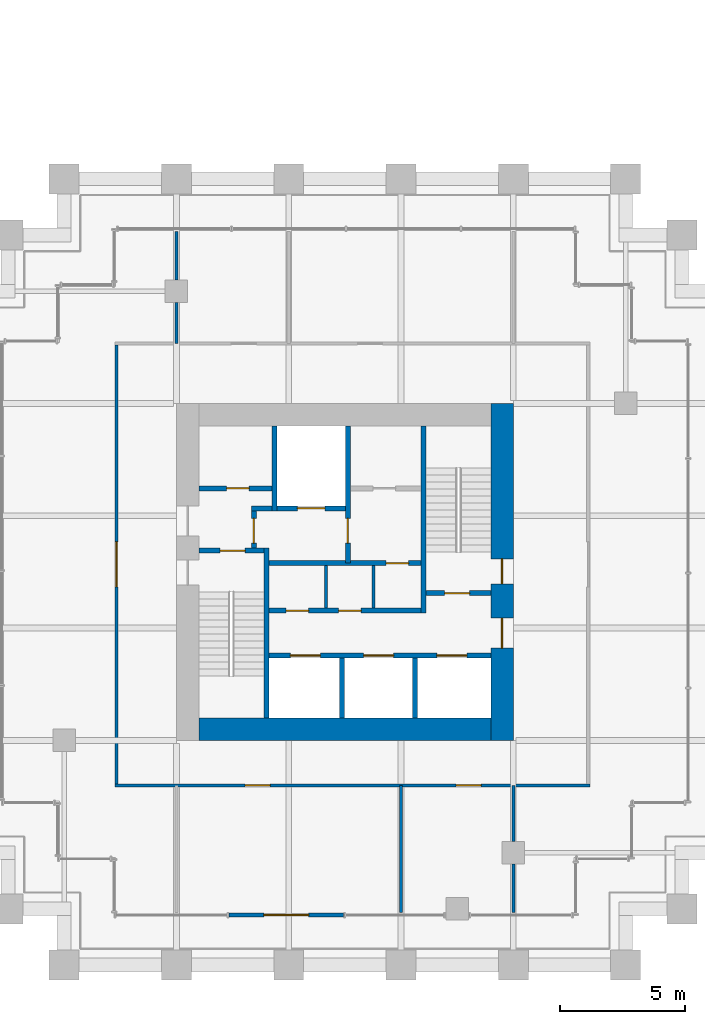
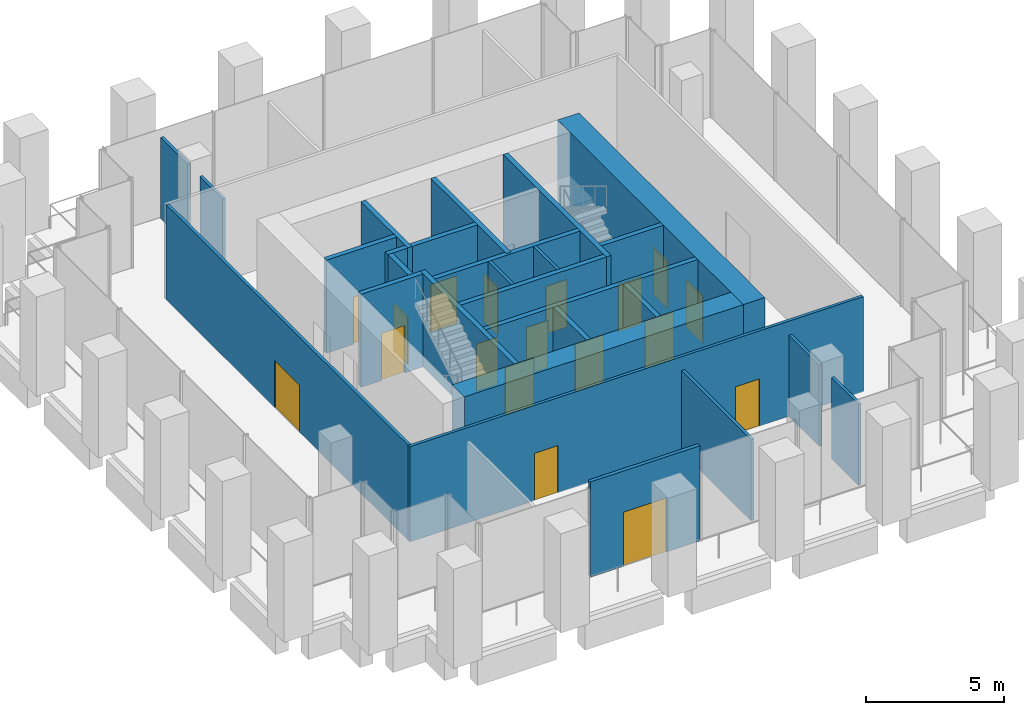
# One storey, part 32 of 36: 27 walls, 18 doors, 18 openings.
"""IFC4 building model written with IfcOpenShell, lengths in metres."""

from ifc_helpers import new_model, si_unit, direction, frame, frame_2d, origin, place, context, subcontext, project, spatial, rectangle, extrude, material, layer, layer_set, type_object, element, fill, save


model = new_model("IFC4")

# Units and contexts
model_context = context("Model", 3, precision=1e-05, world=origin(), true_north=direction((0.0, 1.0)))
body_context = subcontext(model_context, "Body", "Model", "MODEL_VIEW")
ifc_project = project(units=[si_unit("LENGTHUNIT", "METRE"), si_unit("AREAUNIT", "SQUARE_METRE"), si_unit("VOLUMEUNIT", "CUBIC_METRE"), si_unit("PLANEANGLEUNIT", "RADIAN"), si_unit("MASSUNIT", "GRAM", prefix="KILO")], contexts=[model_context])

# Site, building, storey
site_placement = place(None, origin())
site = spatial("IfcSite", under=ifc_project, at=site_placement, CompositionType="ELEMENT")
building_placement = place(site_placement, origin())
building = spatial("IfcBuilding", under=site, at=building_placement, Name="Altepetl Exchange Towers", CompositionType="ELEMENT")
storey_placement = place(building_placement, frame((0.0, 0.0, 25.39990234375)))
storey = spatial("IfcBuildingStorey", under=building, at=storey_placement, Name="L05", CompositionType="ELEMENT", Elevation=25.39990234375)

# Wall, openings, doors
ifc_material_1 = material(Name="Concrete C70/85", Category="concrete")
ifc_layer_1 = layer(ifc_material_1, 0.89990234375)
ifc_layer_set_1 = layer_set([ifc_layer_1], Name="Concrete C70/85")
wall_type_1 = type_object("IfcWallType", Name="Core wall 900 reinforced concrete", PredefinedType="SHEAR", material=ifc_layer_set_1)
wall_1_placement = place(storey_placement, frame((116.550048828125, 36.0, 0.0), z_axis=(0.0, 0.0, 1.0), x_axis=(0.0, 1.0, 0.0)))
wall_1 = element("IfcWall", 1, at=wall_1_placement, inside=storey, type_object=wall_type_1, Name="wall:B:L05:K-coreE", PredefinedType="SHEAR", context=body_context, shape_type="SweptSolid", body=[
    extrude(rectangle(XDim=13.5, YDim=0.89990234375, at=frame_2d((6.75, 0.0))), origin(), (0.0, 0.0, 1.0), 4.125),
])
opening_1_placement = place(wall_1_placement, frame((3.699951171875, 0.0, 0.0)))
opening_1 = element("IfcOpeningElement", 2, at=opening_1_placement, cuts=wall_1, Name="Opening L05.B61", PredefinedType="OPENING", context=body_context, shape_type="SweptSolid", body=[
    extrude(rectangle(XDim=1.199951171875, YDim=2.10009765625, at=frame_2d((0.60009765625, 1.050048828125))), frame((0.0, 0.4599609375, 0.0), z_axis=(0.0, -1.0, 0.0), x_axis=(1.0, 0.0, 0.0)), (0.0, 0.0, 1.0), 0.919921875),
])
opening_2_placement = place(wall_1_placement, frame((6.27490234375, 0.0, 0.0)))
opening_2 = element("IfcOpeningElement", 3, at=opening_2_placement, cuts=wall_1, Name="Opening L05.B65", PredefinedType="OPENING", context=body_context, shape_type="SweptSolid", body=[
    extrude(rectangle(XDim=1.0, YDim=2.10009765625, at=frame_2d((0.5, 1.050048828125))), frame((0.0, 0.4599609375, 0.0), z_axis=(0.0, -1.0, 0.0), x_axis=(1.0, 0.0, 0.0)), (0.0, 0.0, 1.0), 0.919921875),
])
ifc_material_2 = material(Name="Steel and timber fire door", Category="steel")
door_type_1 = type_object("IfcDoorType", Name="Fire door 1000 x 2100 stair and lobby", OperationType="SINGLE_SWING_LEFT", PredefinedType="DOOR", material=ifc_material_2)
door_1_placement = place(opening_2_placement, origin())
door_1 = element("IfcDoor", 4, at=door_1_placement, inside=storey, type_object=door_type_1, Name="door:B:L05:K-dS2x", OperationType="SINGLE_SWING_LEFT", OverallHeight=2.10009765625, OverallWidth=1.0, PredefinedType="DOOR", context=body_context, shape_type="SweptSolid", body=[
    extrude(rectangle(XDim=1.0, YDim=2.10009765625, at=frame_2d((0.5, 1.050048828125))), frame((0.0, 0.02490234375, 0.0), z_axis=(0.0, -1.0, 0.0), x_axis=(1.0, 0.0, 0.0)), (0.0, 0.0, 1.0), 0.050048828125),
])
fill(opening_2, door_1)
door_type_2 = type_object("IfcDoorType", Name="Fire door 1200 x 2100 lobby entry", OperationType="SINGLE_SWING_LEFT", PredefinedType="DOOR", material=ifc_material_2)
door_2_placement = place(opening_1_placement, origin())
door_2 = element("IfcDoor", 5, at=door_2_placement, inside=storey, type_object=door_type_2, Name="door:B:L05:K-dLSE", OperationType="SINGLE_SWING_RIGHT", OverallHeight=2.10009765625, OverallWidth=1.199951171875, PredefinedType="DOOR", context=body_context, shape_type="SweptSolid", body=[
    extrude(rectangle(XDim=1.199951171875, YDim=2.10009765625, at=frame_2d((0.60009765625, 1.050048828125))), frame((0.0, 0.02490234375, 0.0), z_axis=(0.0, -1.0, 0.0), x_axis=(1.0, 0.0, 0.0)), (0.0, 0.0, 1.0), 0.050048828125),
])
fill(opening_1, door_2)

# Wall
wall_2_placement = place(storey_placement, frame((104.39990234375, 36.449951171875, 0.0)))
element("IfcWall", 6, at=wall_2_placement, inside=storey, type_object=wall_type_1, Name="wall:B:L05:K-coreS", PredefinedType="SHEAR", context=body_context, shape_type="SweptSolid", body=[
    extrude(rectangle(XDim=11.7001953125, YDim=0.89990234375, at=frame_2d((5.85009765625, 0.0))), origin(), (0.0, 0.0, 1.0), 4.125),
])

# Wall, opening, door
ifc_material_3 = material(Name="Aluminium composite cladding", Category="aluminium")
ifc_layer_2 = layer(ifc_material_3, 0.14990234375)
ifc_layer_set_2 = layer_set([ifc_layer_2], Name="Aluminium composite cladding")
wall_type_2 = type_object("IfcWallType", Name="Infill wall 150 aluminium panel", PredefinedType="SOLIDWALL", material=ifc_layer_set_2)
wall_3_placement = place(storey_placement, frame((105.60009765625, 29.0, 0.0)))
wall_3 = element("IfcWall", 7, at=wall_3_placement, inside=storey, type_object=wall_type_2, Name="Loggia door bay wall", PredefinedType="SOLIDWALL", context=body_context, shape_type="SweptSolid", body=[
    extrude(rectangle(XDim=4.599853515625, YDim=0.14990234375, at=frame_2d((2.2998046875, 0.0))), origin(), (0.0, 0.0, 1.0), 4.22509765625),
])
opening_3_placement = place(wall_3_placement, frame((1.39990234375, 0.0, 0.0)))
opening_3 = element("IfcOpeningElement", 8, at=opening_3_placement, cuts=wall_3, Name="Opening L05.B90", PredefinedType="OPENING", context=body_context, shape_type="SweptSolid", body=[
    extrude(rectangle(XDim=1.800048828125, YDim=2.39990234375, at=frame_2d((0.89990234375, 1.199951171875))), frame((0.0, 0.0849609375, 0.0), z_axis=(0.0, -1.0, 0.0), x_axis=(1.0, 0.0, 0.0)), (0.0, 0.0, 1.0), 0.169921875),
])
ifc_material_4 = material(Name="Aluminium 6063-T6 and glass", Category="aluminium")
door_type_3 = type_object("IfcDoorType", Name="Glazed door pair 1800x2400", OperationType="DOUBLE_DOOR_DOUBLE_SWING", PredefinedType="NOTDEFINED", material=ifc_material_4)
door_3_placement = place(opening_3_placement, frame((1.800048828125, 0.0, 0.0), x_axis=(-1.0, 0.0, 0.0)))
door_3 = element("IfcDoor", 9, at=door_3_placement, inside=storey, type_object=door_type_3, Name="Loggia door", OperationType="DOUBLE_DOOR_DOUBLE_SWING", OverallHeight=2.39990234375, OverallWidth=1.800048828125, PredefinedType="NOTDEFINED", context=body_context, shape_type="SweptSolid", body=[
    extrude(rectangle(XDim=1.800048828125, YDim=2.39990234375, at=frame_2d((0.89990234375, 1.199951171875))), frame((0.0, 0.02490234375, 0.0), z_axis=(0.0, -1.0, 0.0), x_axis=(1.0, 0.0, 0.0)), (0.0, 0.0, 1.0), 0.050048828125),
])
fill(opening_3, door_3)

# Wall
ifc_material_5 = material(Name="Concrete blockwork", Category="masonry")
ifc_layer_3 = layer(ifc_material_5, 0.199951171875)
ifc_layer_set_3 = layer_set([ifc_layer_3], Name="Concrete blockwork")
wall_type_3 = type_object("IfcWallType", Name="Lobby wall 200 blockwork", PredefinedType="PARTITIONING", material=ifc_layer_set_3)
wall_4_placement = place(storey_placement, frame((106.5, 45.300048828125, 0.0)))
element("IfcWall", 10, at=wall_4_placement, inside=storey, type_object=wall_type_3, Name="wall:B:L05:K-ffNw", PredefinedType="PARTITIONING", context=body_context, shape_type="SweptSolid", body=[
    extrude(rectangle(XDim=0.833251953125, YDim=0.199951171875, at=frame_2d((0.41650390625, 0.0))), origin(), (0.0, 0.0, 1.0), 4.125),
])

# Wall, opening, door
wall_5_placement = place(storey_placement, frame((106.60009765625, 43.699951171875, 0.0), z_axis=(0.0, 0.0, 1.0), x_axis=(0.0, 1.0, 0.0)))
wall_5 = element("IfcWall", 11, at=wall_5_placement, inside=storey, type_object=wall_type_3, Name="wall:B:L05:K-ffW", PredefinedType="PARTITIONING", context=body_context, shape_type="SweptSolid", body=[
    extrude(rectangle(XDim=1.5, YDim=0.199951171875, at=frame_2d((0.75, 0.0))), origin(), (0.0, 0.0, 1.0), 4.125),
])
opening_4_placement = place(wall_5_placement, frame((0.199951171875, 0.0, 0.0)))
opening_4 = element("IfcOpeningElement", 12, at=opening_4_placement, cuts=wall_5, Name="Opening L05.B67", PredefinedType="OPENING", context=body_context, shape_type="SweptSolid", body=[
    extrude(rectangle(XDim=1.0, YDim=2.10009765625, at=frame_2d((0.5, 1.050048828125))), frame((0.0, 0.10986328125, 0.0), z_axis=(0.0, -1.0, 0.0), x_axis=(1.0, 0.0, 0.0)), (0.0, 0.0, 1.0), 0.219970703125),
])
door_4_placement = place(opening_4_placement, frame((1.0, 0.0, 0.0), x_axis=(-1.0, 0.0, 0.0)))
door_4 = element("IfcDoor", 13, at=door_4_placement, inside=storey, type_object=door_type_1, Name="door:B:L05:K-dffW", OperationType="SINGLE_SWING_LEFT", OverallHeight=2.10009765625, OverallWidth=1.0, PredefinedType="DOOR", context=body_context, shape_type="SweptSolid", body=[
    extrude(rectangle(XDim=1.0, YDim=2.10009765625, at=frame_2d((0.5, 1.050048828125))), frame((0.0, 0.02490234375, 0.0), z_axis=(0.0, -1.0, 0.0), x_axis=(1.0, 0.0, 0.0)), (0.0, 0.0, 1.0), 0.050048828125),
])
fill(opening_4, door_4)

wall_6_placement = place(storey_placement, frame((107.199951171875, 43.10009765625, 0.0)))
wall_6 = element("IfcWall", 14, at=wall_6_placement, inside=storey, type_object=wall_type_3, Name="wall:B:L05:K-zoneN", PredefinedType="PARTITIONING", context=body_context, shape_type="SweptSolid", body=[
    extrude(rectangle(XDim=6.10009765625, YDim=0.199951171875, at=frame_2d((3.050048828125, 0.0))), origin(), (0.0, 0.0, 1.0), 4.125),
])
opening_5_placement = place(wall_6_placement, frame((4.699951171875, 0.0, 0.0)))
opening_5 = element("IfcOpeningElement", 15, at=opening_5_placement, cuts=wall_6, Name="Opening L05.B72", PredefinedType="OPENING", context=body_context, shape_type="SweptSolid", body=[
    extrude(rectangle(XDim=0.89990234375, YDim=2.10009765625, at=frame_2d((0.449951171875, 1.050048828125))), frame((0.0, 0.10986328125, 0.0), z_axis=(0.0, -1.0, 0.0), x_axis=(1.0, 0.0, 0.0)), (0.0, 0.0, 1.0), 0.219970703125),
])
door_type_4 = type_object("IfcDoorType", Name="Fire door 900 x 2100 service room", OperationType="SINGLE_SWING_LEFT", PredefinedType="DOOR", material=ifc_material_2)
door_5_placement = place(opening_5_placement, frame((0.89990234375, 0.0, 0.0), x_axis=(-1.0, 0.0, 0.0)))
door_5 = element("IfcDoor", 16, at=door_5_placement, inside=storey, type_object=door_type_4, Name="door:B:L05:K-dz3", OperationType="SINGLE_SWING_RIGHT", OverallHeight=2.10009765625, OverallWidth=0.89990234375, PredefinedType="DOOR", context=body_context, shape_type="SweptSolid", body=[
    extrude(rectangle(XDim=0.89990234375, YDim=2.10009765625, at=frame_2d((0.449951171875, 1.050048828125))), frame((0.0, 0.02490234375, 0.0), z_axis=(0.0, -1.0, 0.0), x_axis=(1.0, 0.0, 0.0)), (0.0, 0.0, 1.0), 0.050048828125),
])
fill(opening_5, door_5)

# Wall, openings, doors
wall_7_placement = place(storey_placement, frame((107.199951171875, 41.199951171875, 0.0)))
wall_7 = element("IfcWall", 17, at=wall_7_placement, inside=storey, type_object=wall_type_3, Name="wall:B:L05:K-zoneS", PredefinedType="PARTITIONING", context=body_context, shape_type="SweptSolid", body=[
    extrude(rectangle(XDim=6.10009765625, YDim=0.199951171875, at=frame_2d((3.050048828125, 0.0))), origin(), (0.0, 0.0, 1.0), 4.125),
])
opening_6_placement = place(wall_7_placement, frame((0.699951171875, 0.0, 0.0)))
opening_6 = element("IfcOpeningElement", 18, at=opening_6_placement, cuts=wall_7, Name="Opening L05.B70", PredefinedType="OPENING", context=body_context, shape_type="SweptSolid", body=[
    extrude(rectangle(XDim=0.89990234375, YDim=2.10009765625, at=frame_2d((0.449951171875, 1.050048828125))), frame((0.0, 0.10986328125, 0.0), z_axis=(0.0, -1.0, 0.0), x_axis=(1.0, 0.0, 0.0)), (0.0, 0.0, 1.0), 0.219970703125),
])
opening_7_placement = place(wall_7_placement, frame((2.800048828125, 0.0, 0.0)))
opening_7 = element("IfcOpeningElement", 19, at=opening_7_placement, cuts=wall_7, Name="Opening L05.B71", PredefinedType="OPENING", context=body_context, shape_type="SweptSolid", body=[
    extrude(rectangle(XDim=0.89990234375, YDim=2.10009765625, at=frame_2d((0.449951171875, 1.050048828125))), frame((0.0, 0.10986328125, 0.0), z_axis=(0.0, -1.0, 0.0), x_axis=(1.0, 0.0, 0.0)), (0.0, 0.0, 1.0), 0.219970703125),
])
door_6_placement = place(opening_6_placement, origin())
door_6 = element("IfcDoor", 20, at=door_6_placement, inside=storey, type_object=door_type_4, Name="door:B:L05:K-dz1", OperationType="SINGLE_SWING_RIGHT", OverallHeight=2.10009765625, OverallWidth=0.89990234375, PredefinedType="DOOR", context=body_context, shape_type="SweptSolid", body=[
    extrude(rectangle(XDim=0.89990234375, YDim=2.10009765625, at=frame_2d((0.449951171875, 1.050048828125))), frame((0.0, 0.02490234375, 0.0), z_axis=(0.0, -1.0, 0.0), x_axis=(1.0, 0.0, 0.0)), (0.0, 0.0, 1.0), 0.050048828125),
])
fill(opening_6, door_6)
door_7_placement = place(opening_7_placement, origin())
door_7 = element("IfcDoor", 21, at=door_7_placement, inside=storey, type_object=door_type_4, Name="door:B:L05:K-dz2", OperationType="SINGLE_SWING_RIGHT", OverallHeight=2.10009765625, OverallWidth=0.89990234375, PredefinedType="DOOR", context=body_context, shape_type="SweptSolid", body=[
    extrude(rectangle(XDim=0.89990234375, YDim=2.10009765625, at=frame_2d((0.449951171875, 1.050048828125))), frame((0.0, 0.02490234375, 0.0), z_axis=(0.0, -1.0, 0.0), x_axis=(1.0, 0.0, 0.0)), (0.0, 0.0, 1.0), 0.050048828125),
])
fill(opening_7, door_7)

# Walls
ifc_material_6 = material(Name="Gypsum board on steel studs", Category="steel")
ifc_layer_4 = layer(ifc_material_6, 0.125)
ifc_layer_set_4 = layer_set([ifc_layer_4], Name="Gypsum board on steel studs")
wall_type_4 = type_object("IfcWallType", Name="Partition 125 gypsum board on steel studs", PredefinedType="PARTITIONING", material=ifc_layer_set_4)
for number, where, z_axis, x_axis, name in (
    (22, (109.5, 41.300048828125, 0.0), (0.0, 0.0, 1.0), (0.0, 1.0, 0.0), "wall:B:L05:K-zp1"),
    (23, (111.39990234375, 41.300048828125, 0.0), (0.0, 0.0, 1.0), (0.0, 1.0, 0.0), "wall:B:L05:K-zp2"),
):
    element("IfcWall", number, at=place(storey_placement, frame(where, z_axis=z_axis, x_axis=x_axis)), inside=storey, type_object=wall_type_4, Name=name, PredefinedType="PARTITIONING", context=body_context, shape_type="SweptSolid", body=[
        extrude(rectangle(XDim=1.699951171875, YDim=0.125, at=frame_2d((0.85009765625, 0.0))), origin(), (0.0, 0.0, 1.0), 4.125),
    ])

# Wall, openings, doors
wall_8_placement = place(storey_placement, frame((101.03759765625, 34.199951171875, 0.0)))
wall_8 = element("IfcWall", 24, at=wall_8_placement, inside=storey, type_object=wall_type_4, Name="wall:B:L05:P01", PredefinedType="PARTITIONING", context=body_context, shape_type="SweptSolid", body=[
    extrude(rectangle(XDim=19.02490234375, YDim=0.125, at=frame_2d((9.512451171875, 0.0))), origin(), (0.0, 0.0, 1.0), 4.22509765625),
])
opening_8_placement = place(wall_8_placement, frame((5.219482421875, 0.0, 0.0)))
opening_8 = element("IfcOpeningElement", 25, at=opening_8_placement, cuts=wall_8, Name="Opening L05.B02", PredefinedType="OPENING", context=body_context, shape_type="SweptSolid", body=[
    extrude(rectangle(XDim=1.0, YDim=2.10009765625, at=frame_2d((0.5, 1.050048828125))), frame((0.0, 0.072509765625, 0.0), z_axis=(0.0, -1.0, 0.0), x_axis=(1.0, 0.0, 0.0)), (0.0, 0.0, 1.0), 0.14501953125),
])
opening_9_placement = place(wall_8_placement, frame((13.66748046875, 0.0, 0.0)))
opening_9 = element("IfcOpeningElement", 26, at=opening_9_placement, cuts=wall_8, Name="Opening L05.B03", PredefinedType="OPENING", context=body_context, shape_type="SweptSolid", body=[
    extrude(rectangle(XDim=1.0, YDim=2.10009765625, at=frame_2d((0.5, 1.050048828125))), frame((0.0, 0.072509765625, 0.0), z_axis=(0.0, -1.0, 0.0), x_axis=(1.0, 0.0, 0.0)), (0.0, 0.0, 1.0), 0.14501953125),
])
door_type_5 = type_object("IfcDoorType", Name="Fire door 1000 x 2100 single leaf", OperationType="SINGLE_SWING_LEFT", PredefinedType="DOOR", material=ifc_material_2)
door_8_placement = place(opening_8_placement, frame((1.0, 0.0, 0.0), x_axis=(-1.0, 0.0, 0.0)))
door_8 = element("IfcDoor", 27, at=door_8_placement, inside=storey, type_object=door_type_5, Name="door:B:L05:02", OperationType="SINGLE_SWING_RIGHT", OverallHeight=2.10009765625, OverallWidth=1.0, PredefinedType="DOOR", context=body_context, shape_type="SweptSolid", body=[
    extrude(rectangle(XDim=1.0, YDim=2.10009765625, at=frame_2d((0.5, 1.050048828125))), frame((0.0, 0.02490234375, 0.0), z_axis=(0.0, -1.0, 0.0), x_axis=(1.0, 0.0, 0.0)), (0.0, 0.0, 1.0), 0.050048828125),
])
fill(opening_8, door_8)
door_9_placement = place(opening_9_placement, frame((1.0, 0.0, 0.0), x_axis=(-1.0, 0.0, 0.0)))
door_9 = element("IfcDoor", 28, at=door_9_placement, inside=storey, type_object=door_type_5, Name="door:B:L05:03", OperationType="SINGLE_SWING_LEFT", OverallHeight=2.10009765625, OverallWidth=1.0, PredefinedType="DOOR", context=body_context, shape_type="SweptSolid", body=[
    extrude(rectangle(XDim=1.0, YDim=2.10009765625, at=frame_2d((0.5, 1.050048828125))), frame((0.0, 0.02490234375, 0.0), z_axis=(0.0, -1.0, 0.0), x_axis=(1.0, 0.0, 0.0)), (0.0, 0.0, 1.0), 0.050048828125),
])
fill(opening_9, door_9)

# Wall, opening, door
wall_9_placement = place(storey_placement, frame((101.10009765625, 34.262451171875, 0.0), z_axis=(0.0, 0.0, 1.0), x_axis=(0.0, 1.0, 0.0)))
wall_9 = element("IfcWall", 29, at=wall_9_placement, inside=storey, type_object=wall_type_4, Name="wall:B:L05:P03", PredefinedType="PARTITIONING", context=body_context, shape_type="SweptSolid", body=[
    extrude(rectangle(XDim=17.574951171875, YDim=0.125, at=frame_2d((8.78759765625, 0.0))), origin(), (0.0, 0.0, 1.0), 4.22509765625),
])
opening_10_placement = place(wall_9_placement, frame((7.887451171875, 0.0, 0.0)))
opening_10 = element("IfcOpeningElement", 30, at=opening_10_placement, cuts=wall_9, Name="Opening L05.B01", PredefinedType="OPENING", context=body_context, shape_type="SweptSolid", body=[
    extrude(rectangle(XDim=1.800048828125, YDim=2.10009765625, at=frame_2d((0.89990234375, 1.050048828125))), frame((0.0, 0.072509765625, 0.0), z_axis=(0.0, -1.0, 0.0), x_axis=(1.0, 0.0, 0.0)), (0.0, 0.0, 1.0), 0.14501953125),
])
door_type_6 = type_object("IfcDoorType", Name="Fire door 1800 x 2100 double leaf", OperationType="DOUBLE_DOOR_SINGLE_SWING", PredefinedType="DOOR", material=ifc_material_2)
door_10_placement = place(opening_10_placement, origin())
door_10 = element("IfcDoor", 31, at=door_10_placement, inside=storey, type_object=door_type_6, Name="door:B:L05:01", OperationType="DOUBLE_DOOR_SINGLE_SWING", OverallHeight=2.10009765625, OverallWidth=1.800048828125, PredefinedType="DOOR", context=body_context, shape_type="SweptSolid", body=[
    extrude(rectangle(XDim=1.800048828125, YDim=2.10009765625, at=frame_2d((0.89990234375, 1.050048828125))), frame((0.0, 0.02490234375, 0.0), z_axis=(0.0, -1.0, 0.0), x_axis=(1.0, 0.0, 0.0)), (0.0, 0.0, 1.0), 0.050048828125),
])
fill(opening_10, door_10)

# Walls
wall_10_placement = place(storey_placement, frame((103.5, 51.89990234375, 0.0), z_axis=(0.0, 0.0, 1.0), x_axis=(0.0, 1.0, 0.0)))
element("IfcWall", 32, at=wall_10_placement, inside=storey, type_object=wall_type_4, Name="wall:B:L05:P05", PredefinedType="PARTITIONING", context=body_context, shape_type="SweptSolid", body=[
    extrude(rectangle(XDim=1.650146484375, YDim=0.125, at=frame_2d((0.8251953125, 0.0))), origin(), (0.0, 0.0, 1.0), 3.60205078125),
])
wall_11_placement = place(storey_placement, frame((103.5, 54.449951171875, 0.0), z_axis=(0.0, 0.0, 1.0), x_axis=(0.0, 1.0, 0.0)))
element("IfcWall", 33, at=wall_11_placement, inside=storey, type_object=wall_type_4, Name="wall:B:L05:P06", PredefinedType="PARTITIONING", context=body_context, shape_type="SweptSolid", body=[
    extrude(rectangle(XDim=1.949951171875, YDim=0.125, at=frame_2d((0.97509765625, 0.0))), origin(), (0.0, 0.0, 1.0), 3.60205078125),
])
wall_12_placement = place(storey_placement, frame((112.5, 29.10009765625, 0.0), z_axis=(0.0, 0.0, 1.0), x_axis=(0.0, 1.0, 0.0)))
element("IfcWall", 34, at=wall_12_placement, inside=storey, type_object=wall_type_4, Name="wall:B:L05:P08", PredefinedType="PARTITIONING", context=body_context, shape_type="SweptSolid", body=[
    extrude(rectangle(XDim=5.099853515625, YDim=0.125, at=frame_2d((2.5498046875, 0.0))), origin(), (0.0, 0.0, 1.0), 3.613037109375),
])
wall_13_placement = place(storey_placement, frame((117.0, 29.10009765625, 0.0), z_axis=(0.0, 0.0, 1.0), x_axis=(0.0, 1.0, 0.0)))
element("IfcWall", 35, at=wall_13_placement, inside=storey, type_object=wall_type_4, Name="wall:B:L05:P09", PredefinedType="PARTITIONING", context=body_context, shape_type="SweptSolid", body=[
    extrude(rectangle(XDim=1.949951171875, YDim=0.125, at=frame_2d((0.97509765625, 0.0))), origin(), (0.0, 0.0, 1.0), 3.60205078125),
])
wall_14_placement = place(storey_placement, frame((117.0, 31.949951171875, 0.0), z_axis=(0.0, 0.0, 1.0), x_axis=(0.0, 1.0, 0.0)))
element("IfcWall", 36, at=wall_14_placement, inside=storey, type_object=wall_type_4, Name="wall:B:L05:P10", PredefinedType="PARTITIONING", context=body_context, shape_type="SweptSolid", body=[
    extrude(rectangle(XDim=2.25, YDim=0.125, at=frame_2d((1.125, 0.0))), origin(), (0.0, 0.0, 1.0), 3.60205078125),
])
ifc_material_7 = material(Name="Concrete C40/50", Category="concrete")
ifc_layer_5 = layer(ifc_material_7, 0.199951171875)
ifc_layer_set_5 = layer_set([ifc_layer_5], Name="Concrete C40/50")
wall_type_5 = type_object("IfcWallType", Name="Shaft wall 200 reinforced concrete", PredefinedType="SHEAR", material=ifc_layer_set_5)
wall_15_placement = place(storey_placement, frame((107.433349609375, 48.60009765625, 0.0), z_axis=(0.0, 0.0, 1.0), x_axis=(0.0, -1.0, 0.0)))
element("IfcWall", 37, at=wall_15_placement, inside=storey, type_object=wall_type_5, Name="wall:B:L05:K-divN1", PredefinedType="SHEAR", context=body_context, shape_type="SweptSolid", body=[
    extrude(rectangle(XDim=3.400146484375, YDim=0.199951171875, at=frame_2d((1.7001953125, 0.0))), origin(), (0.0, 0.0, 1.0), 4.125),
])

# Wall, opening, door
wall_16_placement = place(storey_placement, frame((110.36669921875, 48.60009765625, 0.0), z_axis=(0.0, 0.0, 1.0), x_axis=(0.0, -1.0, 0.0)))
wall_16 = element("IfcWall", 38, at=wall_16_placement, inside=storey, type_object=wall_type_5, Name="wall:B:L05:K-divN2", PredefinedType="SHEAR", context=body_context, shape_type="SweptSolid", body=[
    extrude(rectangle(XDim=5.5, YDim=0.199951171875, at=frame_2d((2.75, 0.0))), origin(), (0.0, 0.0, 1.0), 4.125),
])
opening_11_placement = place(wall_16_placement, frame((3.699951171875, 0.0, 0.0)))
opening_11 = element("IfcOpeningElement", 39, at=opening_11_placement, cuts=wall_16, Name="Opening L05.B66", PredefinedType="OPENING", context=body_context, shape_type="SweptSolid", body=[
    extrude(rectangle(XDim=1.0, YDim=2.10009765625, at=frame_2d((0.5, 1.050048828125))), frame((0.0, 0.10986328125, 0.0), z_axis=(0.0, -1.0, 0.0), x_axis=(1.0, 0.0, 0.0)), (0.0, 0.0, 1.0), 0.219970703125),
])
door_11_placement = place(opening_11_placement, frame((1.0, 0.0, 0.0), x_axis=(-1.0, 0.0, 0.0)))
door_11 = element("IfcDoor", 40, at=door_11_placement, inside=storey, type_object=door_type_1, Name="door:B:L05:K-dffE", OperationType="SINGLE_SWING_RIGHT", OverallHeight=2.10009765625, OverallWidth=1.0, PredefinedType="DOOR", context=body_context, shape_type="SweptSolid", body=[
    extrude(rectangle(XDim=1.0, YDim=2.10009765625, at=frame_2d((0.5, 1.050048828125))), frame((0.0, 0.02490234375, 0.0), z_axis=(0.0, -1.0, 0.0), x_axis=(1.0, 0.0, 0.0)), (0.0, 0.0, 1.0), 0.050048828125),
])
fill(opening_11, door_11)

# Walls
for number, where, z_axis, x_axis, name in (
    (41, (110.13330078125, 36.89990234375, 0.0), (0.0, 0.0, 1.0), (0.0, 1.0, 0.0), "wall:B:L05:K-divS1"),
    (42, (113.066650390625, 36.89990234375, 0.0), (0.0, 0.0, 1.0), (0.0, 1.0, 0.0), "wall:B:L05:K-divS2"),
):
    element("IfcWall", number, at=place(storey_placement, frame(where, z_axis=z_axis, x_axis=x_axis)), inside=storey, type_object=wall_type_5, Name=name, PredefinedType="SHEAR", context=body_context, shape_type="SweptSolid", body=[
        extrude(rectangle(XDim=2.400146484375, YDim=0.199951171875, at=frame_2d((1.2001953125, 0.0))), origin(), (0.0, 0.0, 1.0), 4.125),
    ])

# Wall, opening, door
wall_17_placement = place(storey_placement, frame((104.39990234375, 46.10009765625, 0.0)))
wall_17 = element("IfcWall", 43, at=wall_17_placement, inside=storey, type_object=wall_type_5, Name="wall:B:L05:K-frontNa", PredefinedType="SHEAR", context=body_context, shape_type="SweptSolid", body=[
    extrude(rectangle(XDim=2.933349609375, YDim=0.199951171875, at=frame_2d((1.466796875, 0.0))), origin(), (0.0, 0.0, 1.0), 4.125),
])
opening_12_placement = place(wall_17_placement, frame((1.11669921875, 0.0, 0.0)))
opening_12 = element("IfcOpeningElement", 44, at=opening_12_placement, cuts=wall_17, Name="Opening L05.B68", PredefinedType="OPENING", context=body_context, shape_type="SweptSolid", body=[
    extrude(rectangle(XDim=0.89990234375, YDim=2.10009765625, at=frame_2d((0.449951171875, 1.050048828125))), frame((0.0, 0.10986328125, 0.0), z_axis=(0.0, -1.0, 0.0), x_axis=(1.0, 0.0, 0.0)), (0.0, 0.0, 1.0), 0.219970703125),
])
door_12_placement = place(opening_12_placement, origin())
door_12 = element("IfcDoor", 45, at=door_12_placement, inside=storey, type_object=door_type_4, Name="door:B:L05:K-dslotN0", OperationType="SINGLE_SWING_RIGHT", OverallHeight=2.10009765625, OverallWidth=0.89990234375, PredefinedType="DOOR", context=body_context, shape_type="SweptSolid", body=[
    extrude(rectangle(XDim=0.89990234375, YDim=2.10009765625, at=frame_2d((0.449951171875, 1.050048828125))), frame((0.0, 0.02490234375, 0.0), z_axis=(0.0, -1.0, 0.0), x_axis=(1.0, 0.0, 0.0)), (0.0, 0.0, 1.0), 0.050048828125),
])
fill(opening_12, door_12)

wall_18_placement = place(storey_placement, frame((107.533203125, 45.300048828125, 0.0)))
wall_18 = element("IfcWall", 46, at=wall_18_placement, inside=storey, type_object=wall_type_5, Name="wall:B:L05:K-frontNd", PredefinedType="SHEAR", context=body_context, shape_type="SweptSolid", body=[
    extrude(rectangle(XDim=2.7333984375, YDim=0.199951171875, at=frame_2d((1.36669921875, 0.0))), origin(), (0.0, 0.0, 1.0), 4.125),
])
opening_13_placement = place(wall_18_placement, frame((0.816650390625, 0.0, 0.0)))
opening_13 = element("IfcOpeningElement", 47, at=opening_13_placement, cuts=wall_18, Name="Opening L05.B73", PredefinedType="OPENING", context=body_context, shape_type="SweptSolid", body=[
    extrude(rectangle(XDim=1.10009765625, YDim=2.10009765625, at=frame_2d((0.550048828125, 1.050048828125))), frame((0.0, 0.10986328125, 0.0), z_axis=(0.0, -1.0, 0.0), x_axis=(1.0, 0.0, 0.0)), (0.0, 0.0, 1.0), 0.219970703125),
])
ifc_material_8 = material(Name="Stainless steel", Category="steel")
door_type_7 = type_object("IfcDoorType", Name="Lift landing door 1100 x 2100", OperationType="SLIDING_TO_LEFT", PredefinedType="DOOR", material=ifc_material_8)
door_13_placement = place(opening_13_placement, origin())
door_13 = element("IfcDoor", 48, at=door_13_placement, inside=storey, type_object=door_type_7, Name="Landing door FFL1", OperationType="SLIDING_TO_LEFT", OverallHeight=2.10009765625, OverallWidth=1.10009765625, PredefinedType="DOOR", context=body_context, shape_type="SweptSolid", body=[
    extrude(rectangle(XDim=1.10009765625, YDim=2.10009765625, at=frame_2d((0.550048828125, 1.050048828125))), frame((0.0, 0.02490234375, 0.0), z_axis=(0.0, -1.0, 0.0), x_axis=(1.0, 0.0, 0.0)), (0.0, 0.0, 1.0), 0.050048828125),
])
fill(opening_13, door_13)

# Wall, openings, doors
wall_19_placement = place(storey_placement, frame((107.199951171875, 39.39990234375, 0.0)))
wall_19 = element("IfcWall", 49, at=wall_19_placement, inside=storey, type_object=wall_type_5, Name="wall:B:L05:K-frontS", PredefinedType="SHEAR", context=body_context, shape_type="SweptSolid", body=[
    extrude(rectangle(XDim=8.900146484375, YDim=0.199951171875, at=frame_2d((4.4501953125, 0.0))), origin(), (0.0, 0.0, 1.0), 4.125),
])
opening_14_placement = place(wall_19_placement, frame((0.86669921875, 0.0, 0.0)))
opening_14 = element("IfcOpeningElement", 50, at=opening_14_placement, cuts=wall_19, Name="Opening L05.B74", PredefinedType="OPENING", context=body_context, shape_type="SweptSolid", body=[
    extrude(rectangle(XDim=1.199951171875, YDim=2.10009765625, at=frame_2d((0.60009765625, 1.050048828125))), frame((0.0, 0.10986328125, 0.0), z_axis=(0.0, -1.0, 0.0), x_axis=(1.0, 0.0, 0.0)), (0.0, 0.0, 1.0), 0.219970703125),
])
opening_15_placement = place(wall_19_placement, frame((3.800048828125, 0.0, 0.0)))
opening_15 = element("IfcOpeningElement", 51, at=opening_15_placement, cuts=wall_19, Name="Opening L05.B75", PredefinedType="OPENING", context=body_context, shape_type="SweptSolid", body=[
    extrude(rectangle(XDim=1.199951171875, YDim=2.10009765625, at=frame_2d((0.60009765625, 1.050048828125))), frame((0.0, 0.10986328125, 0.0), z_axis=(0.0, -1.0, 0.0), x_axis=(1.0, 0.0, 0.0)), (0.0, 0.0, 1.0), 0.219970703125),
])
opening_16_placement = place(wall_19_placement, frame((6.7333984375, 0.0, 0.0)))
opening_16 = element("IfcOpeningElement", 52, at=opening_16_placement, cuts=wall_19, Name="Opening L05.B76", PredefinedType="OPENING", context=body_context, shape_type="SweptSolid", body=[
    extrude(rectangle(XDim=1.199951171875, YDim=2.10009765625, at=frame_2d((0.60009765625, 1.050048828125))), frame((0.0, 0.10986328125, 0.0), z_axis=(0.0, -1.0, 0.0), x_axis=(1.0, 0.0, 0.0)), (0.0, 0.0, 1.0), 0.219970703125),
])
door_type_8 = type_object("IfcDoorType", Name="Lift landing door 1200 x 2100", OperationType="SLIDING_TO_LEFT", PredefinedType="DOOR", material=ifc_material_8)
door_14_placement = place(opening_14_placement, origin())
door_14 = element("IfcDoor", 53, at=door_14_placement, inside=storey, type_object=door_type_8, Name="Landing door P1", OperationType="SLIDING_TO_LEFT", OverallHeight=2.10009765625, OverallWidth=1.199951171875, PredefinedType="DOOR", context=body_context, shape_type="SweptSolid", body=[
    extrude(rectangle(XDim=1.199951171875, YDim=2.10009765625, at=frame_2d((0.60009765625, 1.050048828125))), frame((0.0, 0.02490234375, 0.0), z_axis=(0.0, -1.0, 0.0), x_axis=(1.0, 0.0, 0.0)), (0.0, 0.0, 1.0), 0.050048828125),
])
fill(opening_14, door_14)
door_15_placement = place(opening_15_placement, origin())
door_15 = element("IfcDoor", 54, at=door_15_placement, inside=storey, type_object=door_type_8, Name="Landing door P2", OperationType="SLIDING_TO_LEFT", OverallHeight=2.10009765625, OverallWidth=1.199951171875, PredefinedType="DOOR", context=body_context, shape_type="SweptSolid", body=[
    extrude(rectangle(XDim=1.199951171875, YDim=2.10009765625, at=frame_2d((0.60009765625, 1.050048828125))), frame((0.0, 0.02490234375, 0.0), z_axis=(0.0, -1.0, 0.0), x_axis=(1.0, 0.0, 0.0)), (0.0, 0.0, 1.0), 0.050048828125),
])
fill(opening_15, door_15)
door_16_placement = place(opening_16_placement, origin())
door_16 = element("IfcDoor", 55, at=door_16_placement, inside=storey, type_object=door_type_8, Name="Landing door P3", OperationType="SLIDING_TO_LEFT", OverallHeight=2.10009765625, OverallWidth=1.199951171875, PredefinedType="DOOR", context=body_context, shape_type="SweptSolid", body=[
    extrude(rectangle(XDim=1.199951171875, YDim=2.10009765625, at=frame_2d((0.60009765625, 1.050048828125))), frame((0.0, 0.02490234375, 0.0), z_axis=(0.0, -1.0, 0.0), x_axis=(1.0, 0.0, 0.0)), (0.0, 0.0, 1.0), 0.050048828125),
])
fill(opening_16, door_16)

# Wall
ifc_layer_6 = layer(ifc_material_7, 0.199951171875)
ifc_layer_set_6 = layer_set([ifc_layer_6], Name="Concrete C40/50")
wall_type_6 = type_object("IfcWallType", Name="Stair wall 200 reinforced concrete", PredefinedType="SHEAR", material=ifc_layer_set_6)
wall_20_placement = place(storey_placement, frame((107.10009765625, 36.89990234375, 0.0), z_axis=(0.0, 0.0, 1.0), x_axis=(0.0, 1.0, 0.0)))
element("IfcWall", 56, at=wall_20_placement, inside=storey, type_object=wall_type_6, Name="wall:B:L05:K-stS1E", PredefinedType="SHEAR", context=body_context, shape_type="SweptSolid", body=[
    extrude(rectangle(XDim=6.800048828125, YDim=0.199951171875, at=frame_2d((3.39990234375, 0.0))), origin(), (0.0, 0.0, 1.0), 4.125),
])

# Wall, opening, door
wall_21_placement = place(storey_placement, frame((104.39990234375, 43.60009765625, 0.0)))
wall_21 = element("IfcWall", 57, at=wall_21_placement, inside=storey, type_object=wall_type_6, Name="wall:B:L05:K-stS1N", PredefinedType="SHEAR", context=body_context, shape_type="SweptSolid", body=[
    extrude(rectangle(XDim=2.60009765625, YDim=0.199951171875, at=frame_2d((1.300048828125, 0.0))), origin(), (0.0, 0.0, 1.0), 4.125),
])
opening_17_placement = place(wall_21_placement, frame((0.85009765625, 0.0, 0.0)))
opening_17 = element("IfcOpeningElement", 58, at=opening_17_placement, cuts=wall_21, Name="Opening L05.B62", PredefinedType="OPENING", context=body_context, shape_type="SweptSolid", body=[
    extrude(rectangle(XDim=1.0, YDim=2.10009765625, at=frame_2d((0.5, 1.050048828125))), frame((0.0, 0.10986328125, 0.0), z_axis=(0.0, -1.0, 0.0), x_axis=(1.0, 0.0, 0.0)), (0.0, 0.0, 1.0), 0.219970703125),
])
door_17_placement = place(opening_17_placement, frame((1.0, 0.0, 0.0), x_axis=(-1.0, 0.0, 0.0)))
door_17 = element("IfcDoor", 59, at=door_17_placement, inside=storey, type_object=door_type_1, Name="door:B:L05:K-dS1in", OperationType="SINGLE_SWING_LEFT", OverallHeight=2.10009765625, OverallWidth=1.0, PredefinedType="DOOR", context=body_context, shape_type="SweptSolid", body=[
    extrude(rectangle(XDim=1.0, YDim=2.10009765625, at=frame_2d((0.5, 1.050048828125))), frame((0.0, 0.02490234375, 0.0), z_axis=(0.0, -1.0, 0.0), x_axis=(1.0, 0.0, 0.0)), (0.0, 0.0, 1.0), 0.050048828125),
])
fill(opening_17, door_17)

wall_22_placement = place(storey_placement, frame((113.5, 41.89990234375, 0.0)))
wall_22 = element("IfcWall", 60, at=wall_22_placement, inside=storey, type_object=wall_type_6, Name="wall:B:L05:K-stS2S", PredefinedType="SHEAR", context=body_context, shape_type="SweptSolid", body=[
    extrude(rectangle(XDim=2.60009765625, YDim=0.199951171875, at=frame_2d((1.300048828125, 0.0))), origin(), (0.0, 0.0, 1.0), 4.125),
])
opening_18_placement = place(wall_22_placement, frame((0.75, 0.0, 0.0)))
opening_18 = element("IfcOpeningElement", 61, at=opening_18_placement, cuts=wall_22, Name="Opening L05.B64", PredefinedType="OPENING", context=body_context, shape_type="SweptSolid", body=[
    extrude(rectangle(XDim=1.0, YDim=2.10009765625, at=frame_2d((0.5, 1.050048828125))), frame((0.0, 0.10986328125, 0.0), z_axis=(0.0, -1.0, 0.0), x_axis=(1.0, 0.0, 0.0)), (0.0, 0.0, 1.0), 0.219970703125),
])
door_18_placement = place(opening_18_placement, origin())
door_18 = element("IfcDoor", 62, at=door_18_placement, inside=storey, type_object=door_type_1, Name="door:B:L05:K-dS2in", OperationType="SINGLE_SWING_RIGHT", OverallHeight=2.10009765625, OverallWidth=1.0, PredefinedType="DOOR", context=body_context, shape_type="SweptSolid", body=[
    extrude(rectangle(XDim=1.0, YDim=2.10009765625, at=frame_2d((0.5, 1.050048828125))), frame((0.0, 0.02490234375, 0.0), z_axis=(0.0, -1.0, 0.0), x_axis=(1.0, 0.0, 0.0)), (0.0, 0.0, 1.0), 0.050048828125),
])
fill(opening_18, door_18)

# Wall
wall_23_placement = place(storey_placement, frame((113.39990234375, 41.10009765625, 0.0), z_axis=(0.0, 0.0, 1.0), x_axis=(0.0, 1.0, 0.0)))
element("IfcWall", 63, at=wall_23_placement, inside=storey, type_object=wall_type_6, Name="wall:B:L05:K-stS2W", PredefinedType="SHEAR", context=body_context, shape_type="SweptSolid", body=[
    extrude(rectangle(XDim=7.5, YDim=0.199951171875, at=frame_2d((3.75, 0.0))), origin(), (0.0, 0.0, 1.0), 4.125),
])

save(model, "model.ifc")
